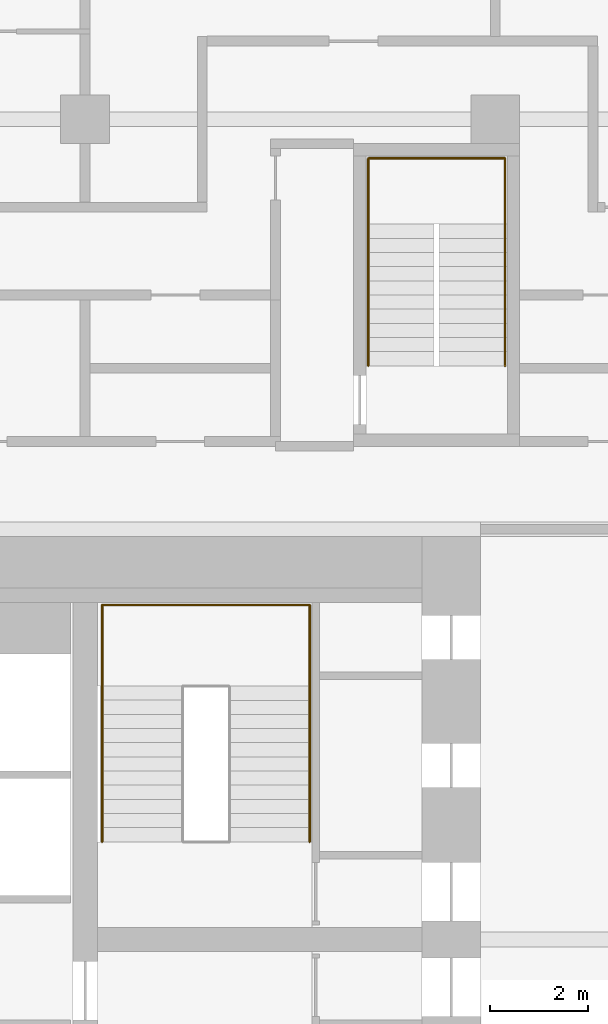
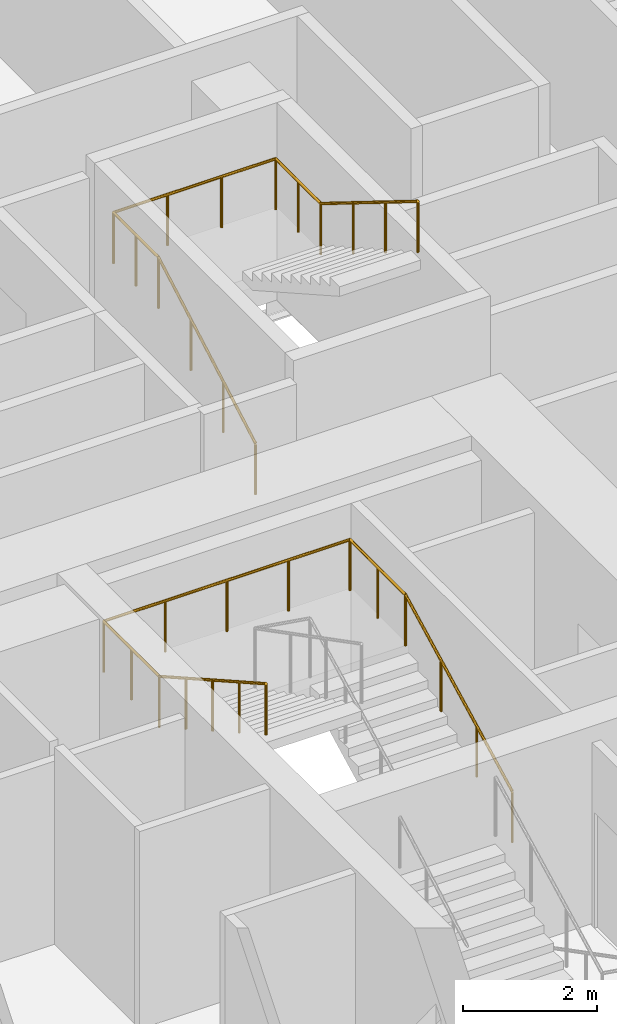
# One storey, part 26 of 26: 2 railings.
"""IFC4 building model written with IfcOpenShell, lengths in metres."""

from ifc_helpers import new_model, si_unit, direction, frame, origin, origin_2d, place, context, subcontext, project, spatial, circle, extrude, material, type_object, element, save


model = new_model("IFC4")

# Units and contexts
model_context = context("Model", 3, precision=1e-05, world=origin(), true_north=direction((0.0, 1.0)))
body_context = subcontext(model_context, "Body", "Model", "MODEL_VIEW")
ifc_project = project(units=[si_unit("LENGTHUNIT", "METRE"), si_unit("AREAUNIT", "SQUARE_METRE"), si_unit("VOLUMEUNIT", "CUBIC_METRE"), si_unit("PLANEANGLEUNIT", "RADIAN"), si_unit("MASSUNIT", "GRAM", prefix="KILO")], contexts=[model_context])

# Site, building, storey
site_placement = place(None, origin())
site = spatial("IfcSite", under=ifc_project, at=site_placement, CompositionType="ELEMENT")
building_placement = place(site_placement, origin())
building = spatial("IfcBuilding", under=site, at=building_placement, Name="Marenta Gate Hotel Tower", CompositionType="ELEMENT")
storey_placement = place(building_placement, frame((0.0, 0.0, 65.300048828125)))
storey = spatial("IfcBuildingStorey", under=building, at=storey_placement, Name="L14", CompositionType="ELEMENT", Elevation=65.300048828125)

# Railings
ifc_material = material(Name="Stainless steel", Category="steel")
railing_type = type_object("IfcRailingType", Name="Core stair handrail 950", PredefinedType="HANDRAIL", material=ifc_material)
railing_1_placement = place(storey_placement, frame((8.800048828125, 10.39990234375, 0.14990234375)))
element("IfcRailing", 1, at=railing_1_placement, inside=storey, type_object=railing_type, Name="HR-950 L14-KR-ST4-1", PredefinedType="HANDRAIL", context=body_context, shape_type="SweptSolid", body=[
    extrude(circle(Radius=0.02392578125, at=origin_2d()), frame((0.0, 0.0, 0.92578125), z_axis=(0.0, 0.888211904222, 0.459434013977), x_axis=(-1.0, 0.0, 0.0)), (0.0, 0.0, 1.0), 3.591796875),
    extrude(circle(Radius=0.02392578125, at=origin_2d()), frame((0.0, 3.190185546875, 2.576171875), z_axis=(0.0, 1.0, 0.0), x_axis=(-1.0, 0.0, 0.0)), (0.0, 0.0, 1.0), 1.659912109375),
    extrude(circle(Radius=0.02392578125, at=origin_2d()), frame((0.0, 4.85009765625, 2.576171875), z_axis=(-1.0, 0.0, 0.0), x_axis=(0.0, -1.0, 0.0)), (0.0, 0.0, 1.0), 4.25),
    extrude(circle(Radius=0.02392578125, at=origin_2d()), frame((-4.25, 4.85009765625, 2.576171875), z_axis=(0.0, -1.0, 0.0), x_axis=(1.0, 0.0, 0.0)), (0.0, 0.0, 1.0), 1.659912109375),
    extrude(circle(Radius=0.02392578125, at=origin_2d()), frame((-4.25, 3.190185546875, 2.576171875), z_axis=(0.0, -0.870953600603, 0.491365266982), x_axis=(1.0, 0.0, 0.0)), (0.0, 0.0, 1.0), 3.662841796875),
    extrude(circle(Radius=0.02099609375, at=origin_2d()), origin(), (0.0, 0.0, 1.0), 0.90185546875),
    extrude(circle(Radius=0.02099609375, at=origin_2d()), frame((0.0, 1.0634765625, 0.550048828125)), (0.0, 0.0, 1.0), 0.90185546875),
    extrude(circle(Radius=0.02099609375, at=origin_2d()), frame((0.0, 2.126708984375, 1.10009765625)), (0.0, 0.0, 1.0), 0.90185546875),
    extrude(circle(Radius=0.02099609375, at=origin_2d()), frame((0.0, 3.190185546875, 1.650146484375)), (0.0, 0.0, 1.0), 0.90185546875),
    extrude(circle(Radius=0.02099609375, at=origin_2d()), frame((0.0, 4.02001953125, 1.650146484375)), (0.0, 0.0, 1.0), 0.90185546875),
    extrude(circle(Radius=0.02099609375, at=origin_2d()), frame((0.0, 4.85009765625, 1.650146484375)), (0.0, 0.0, 1.0), 0.90185546875),
    extrude(circle(Radius=0.02099609375, at=origin_2d()), frame((-1.0625, 4.85009765625, 1.650146484375)), (0.0, 0.0, 1.0), 0.90185546875),
    extrude(circle(Radius=0.02099609375, at=origin_2d()), frame((-2.125, 4.85009765625, 1.650146484375)), (0.0, 0.0, 1.0), 0.90185546875),
    extrude(circle(Radius=0.02099609375, at=origin_2d()), frame((-3.1875, 4.85009765625, 1.650146484375)), (0.0, 0.0, 1.0), 0.90185546875),
    extrude(circle(Radius=0.02099609375, at=origin_2d()), frame((-4.25, 4.85009765625, 1.650146484375)), (0.0, 0.0, 1.0), 0.90185546875),
    extrude(circle(Radius=0.02099609375, at=origin_2d()), frame((-4.25, 4.02001953125, 1.650146484375)), (0.0, 0.0, 1.0), 0.90185546875),
    extrude(circle(Radius=0.02099609375, at=origin_2d()), frame((-4.25, 3.190185546875, 1.650146484375)), (0.0, 0.0, 1.0), 0.90185546875),
    extrude(circle(Radius=0.02099609375, at=origin_2d()), frame((-4.25, 2.392578125, 2.10009765625)), (0.0, 0.0, 1.0), 0.90185546875),
    extrude(circle(Radius=0.02099609375, at=origin_2d()), frame((-4.25, 1.59521484375, 2.550048828125)), (0.0, 0.0, 1.0), 0.90185546875),
    extrude(circle(Radius=0.02099609375, at=origin_2d()), frame((-4.25, 0.797607421875, 3.0)), (0.0, 0.0, 1.0), 0.90185546875),
    extrude(circle(Radius=0.02099609375, at=origin_2d()), frame((-4.25, 0.0, 3.449951171875)), (0.0, 0.0, 1.0), 0.90185546875),
])
railing_2_placement = place(storey_placement, frame((10.0, 20.14990234375, 0.16357421875)))
element("IfcRailing", 2, at=railing_2_placement, inside=storey, type_object=railing_type, Name="HR-950 L14-RS-Z1-4-KR-1", PredefinedType="HANDRAIL", context=body_context, shape_type="SweptSolid", body=[
    extrude(circle(Radius=0.02392578125, at=origin_2d()), frame((0.0, 0.0, 0.92578125), z_axis=(0.0, 0.870914908162, 0.491433843708), x_axis=(-1.0, 0.0, 0.0)), (0.0, 0.0, 1.0), 3.330078125),
    extrude(circle(Radius=0.02392578125, at=origin_2d()), frame((0.0, 2.900146484375, 2.5625), z_axis=(0.0, 1.0, 0.0), x_axis=(-1.0, 0.0, 0.0)), (0.0, 0.0, 1.0), 1.349853515625),
    extrude(circle(Radius=0.02392578125, at=origin_2d()), frame((0.0, 4.25, 2.5625), z_axis=(1.0, 0.0, 0.0), x_axis=(0.0, 1.0, 0.0)), (0.0, 0.0, 1.0), 2.800048828125),
    extrude(circle(Radius=0.02392578125, at=origin_2d()), frame((2.800048828125, 4.25, 2.5625), z_axis=(0.0, -1.0, 0.0), x_axis=(1.0, 0.0, 0.0)), (0.0, 0.0, 1.0), 1.349853515625),
    extrude(circle(Radius=0.02392578125, at=origin_2d()), frame((2.800048828125, 2.900146484375, 2.5625), z_axis=(0.0, -0.849677739116, 0.527302322819), x_axis=(1.0, 0.0, 0.0)), (0.0, 0.0, 1.0), 3.413330078125),
    extrude(circle(Radius=0.02099609375, at=origin_2d()), origin(), (0.0, 0.0, 1.0), 0.90185546875),
    extrude(circle(Radius=0.02099609375, at=origin_2d()), frame((0.0, 0.966796875, 0.54541015625)), (0.0, 0.0, 1.0), 0.90185546875),
    extrude(circle(Radius=0.02099609375, at=origin_2d()), frame((0.0, 1.933349609375, 1.091064453125)), (0.0, 0.0, 1.0), 0.90185546875),
    extrude(circle(Radius=0.02099609375, at=origin_2d()), frame((0.0, 2.900146484375, 1.636474609375)), (0.0, 0.0, 1.0), 0.90185546875),
    extrude(circle(Radius=0.02099609375, at=origin_2d()), frame((0.0, 3.5751953125, 1.636474609375)), (0.0, 0.0, 1.0), 0.90185546875),
    extrude(circle(Radius=0.02099609375, at=origin_2d()), frame((0.0, 4.25, 1.636474609375)), (0.0, 0.0, 1.0), 0.90185546875),
    extrude(circle(Radius=0.02099609375, at=origin_2d()), frame((0.933349609375, 4.25, 1.636474609375)), (0.0, 0.0, 1.0), 0.90185546875),
    extrude(circle(Radius=0.02099609375, at=origin_2d()), frame((1.86669921875, 4.25, 1.636474609375)), (0.0, 0.0, 1.0), 0.90185546875),
    extrude(circle(Radius=0.02099609375, at=origin_2d()), frame((2.800048828125, 4.25, 1.636474609375)), (0.0, 0.0, 1.0), 0.90185546875),
    extrude(circle(Radius=0.02099609375, at=origin_2d()), frame((2.800048828125, 3.5751953125, 1.636474609375)), (0.0, 0.0, 1.0), 0.90185546875),
    extrude(circle(Radius=0.02099609375, at=origin_2d()), frame((2.800048828125, 2.900146484375, 1.636474609375)), (0.0, 0.0, 1.0), 0.90185546875),
    extrude(circle(Radius=0.02099609375, at=origin_2d()), frame((2.800048828125, 1.933349609375, 2.236328125)), (0.0, 0.0, 1.0), 0.90185546875),
    extrude(circle(Radius=0.02099609375, at=origin_2d()), frame((2.800048828125, 0.966796875, 2.83642578125)), (0.0, 0.0, 1.0), 0.90185546875),
    extrude(circle(Radius=0.02099609375, at=origin_2d()), frame((2.800048828125, 0.0, 3.436279296875)), (0.0, 0.0, 1.0), 0.90185546875),
])

save(model, "model.ifc")
